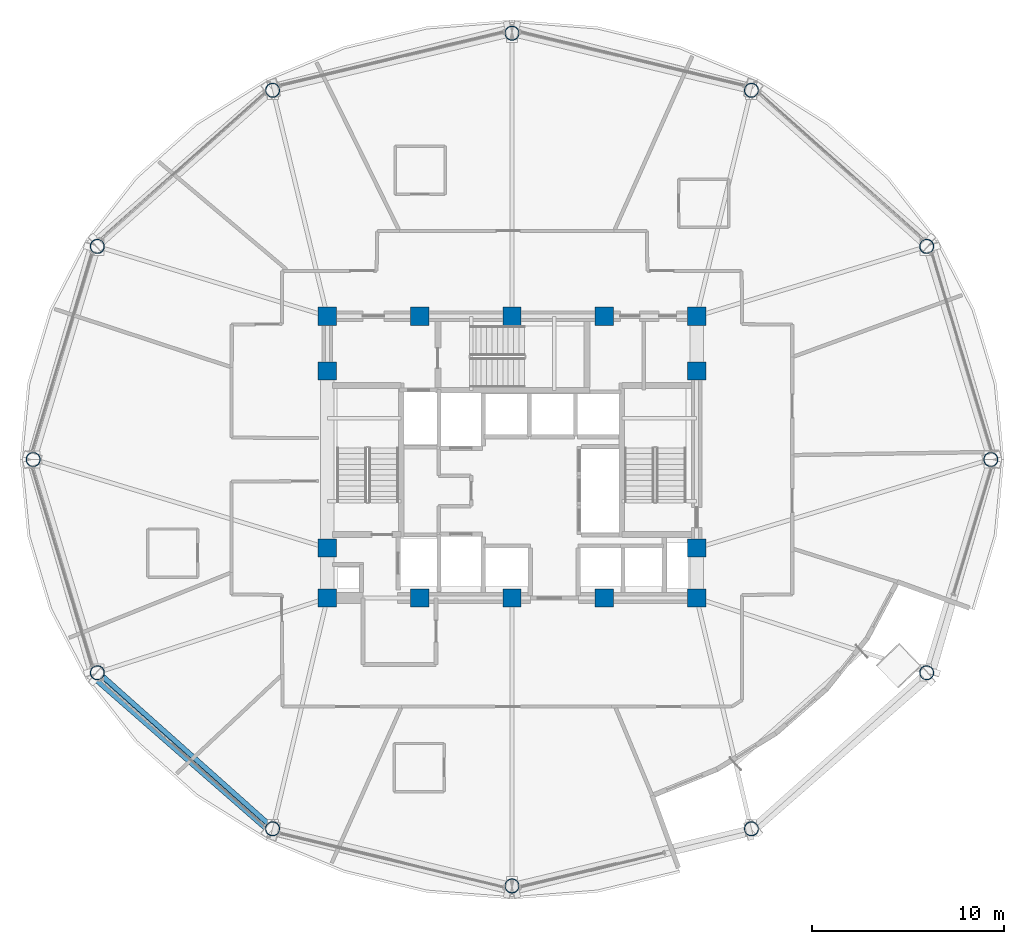
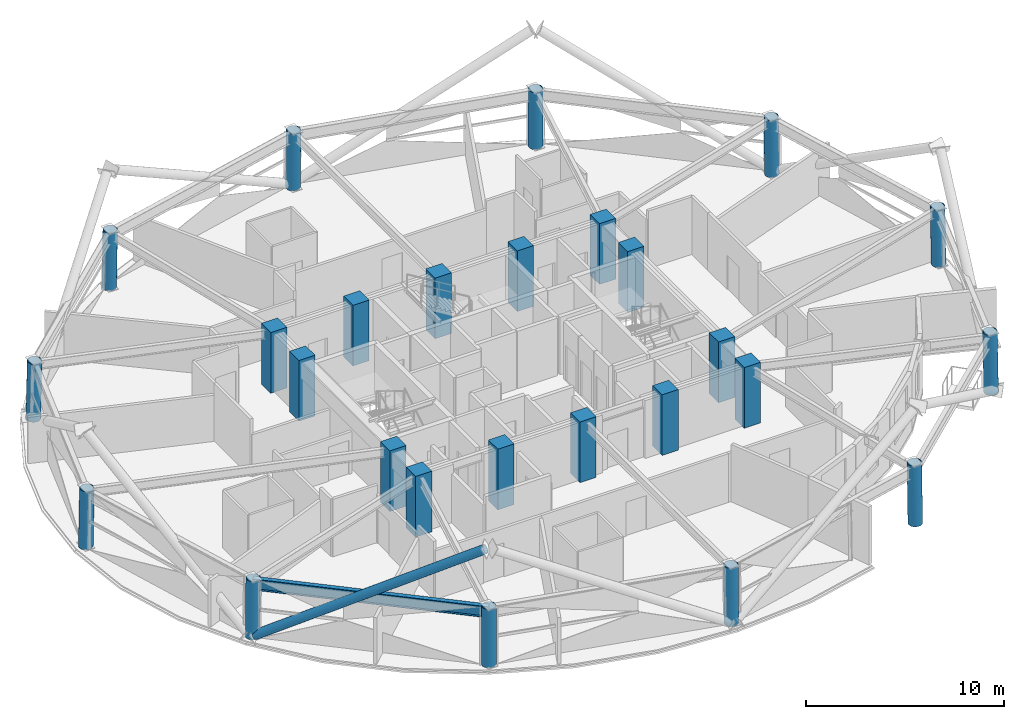
# One storey, part 1 of 17: 26 columns, 1 beam, 1 member.
"""IFC4 building model written with IfcOpenShell, lengths in metres."""

from ifc_helpers import new_model, si_unit, direction, frame, origin, origin_2d, place, context, subcontext, project, spatial, rectangle, hollow_circle, i_section, extrude, material, material_profile, profile_set, type_object, element, save


model = new_model("IFC4")

# Units and contexts
model_context = context("Model", 3, precision=1e-05, world=origin(), true_north=direction((0.0, 1.0)))
body_context = subcontext(model_context, "Body", "Model", "MODEL_VIEW")
ifc_project = project(units=[si_unit("LENGTHUNIT", "METRE"), si_unit("AREAUNIT", "SQUARE_METRE"), si_unit("VOLUMEUNIT", "CUBIC_METRE"), si_unit("PLANEANGLEUNIT", "RADIAN"), si_unit("MASSUNIT", "GRAM", prefix="KILO")], contexts=[model_context])

# Site, building, storey
site_placement = place(None, origin())
site = spatial("IfcSite", under=ifc_project, at=site_placement, CompositionType="ELEMENT")
building_placement = place(site_placement, origin())
building = spatial("IfcBuilding", under=site, at=building_placement, Name="Vantalir Tower", CompositionType="ELEMENT")
storey_placement = place(building_placement, frame((0.0, 0.0, 142.199951171875)))
storey = spatial("IfcBuildingStorey", under=building, at=storey_placement, Name="L35", CompositionType="ELEMENT", Elevation=142.199951171875)

# Columns
ifc_material_1 = material(Name="Concrete C60/75", Category="concrete")
ifc_material_profile_1 = material_profile(ifc_material_1, rectangle(XDim=0.949951171875, YDim=0.949951171875, at=origin_2d()), Name="Concrete C60/75")
ifc_profile_set_1 = profile_set([ifc_material_profile_1], Name="Concrete C60/75")
column_type_1 = type_object("IfcColumnType", Name="COL-CC-950", PredefinedType="COLUMN", material=ifc_profile_set_1)
for number, where, z_axis, x_axis, name in (
    (1, (21.89990234375, 17.800048828125, 0.0), (0.0, 0.0, 1.0), (1.0, 0.0, 0.0), "L35 Core Column CC01"),
    (2, (26.699951171875, 17.800048828125, 0.0), (0.0, 0.0, 1.0), (1.0, 0.0, 0.0), "L35 Core Column CC02"),
    (3, (31.5, 17.800048828125, 0.0), (0.0, 0.0, 1.0), (1.0, 0.0, 0.0), "L35 Core Column CC03"),
    (4, (36.300048828125, 17.800048828125, 0.0), (0.0, 0.0, 1.0), (1.0, 0.0, 0.0), "L35 Core Column CC04"),
    (5, (41.10009765625, 17.800048828125, 0.0), (0.0, 0.0, 1.0), (1.0, 0.0, 0.0), "L35 Core Column CC05"),
    (6, (21.89990234375, 20.39990234375, 0.0), (0.0, 0.0, 1.0), (1.0, 0.0, 0.0), "L35 Core Column CC06"),
    (7, (21.89990234375, 29.60009765625, 0.0), (0.0, 0.0, 1.0), (1.0, 0.0, 0.0), "L35 Core Column CC07"),
    (8, (41.10009765625, 20.39990234375, 0.0), (0.0, 0.0, 1.0), (1.0, 0.0, 0.0), "L35 Core Column CC08"),
    (9, (41.10009765625, 29.60009765625, 0.0), (0.0, 0.0, 1.0), (1.0, 0.0, 0.0), "L35 Core Column CC09"),
    (10, (21.89990234375, 32.449951171875, 0.0), (0.0, 0.0, 1.0), (1.0, 0.0, 0.0), "L35 Core Column CC10"),
    (11, (26.699951171875, 32.449951171875, 0.0), (0.0, 0.0, 1.0), (1.0, 0.0, 0.0), "L35 Core Column CC11"),
    (12, (31.5, 32.449951171875, 0.0), (0.0, 0.0, 1.0), (1.0, 0.0, 0.0), "L35 Core Column CC12"),
    (13, (36.300048828125, 32.449951171875, 0.0), (0.0, 0.0, 1.0), (1.0, 0.0, 0.0), "L35 Core Column CC13"),
    (14, (41.10009765625, 32.449951171875, 0.0), (0.0, 0.0, 1.0), (1.0, 0.0, 0.0), "L35 Core Column CC14"),
):
    element("IfcColumn", number, at=place(storey_placement, frame(where, z_axis=z_axis, x_axis=x_axis)), inside=storey, type_object=column_type_1, Name=name, PredefinedType="COLUMN", context=body_context, shape_type="SweptSolid", body=[
        extrude(rectangle(XDim=0.949951171875, YDim=0.949951171875, at=origin_2d()), origin(), (0.0, 0.0, 1.0), 3.75),
    ])
ifc_material_2 = material(Name="Steel S460", Category="steel")
ifc_material_profile_2 = material_profile(ifc_material_2, hollow_circle(Radius=0.375, WallThickness=0.034912109375, at=origin_2d()), Name="Steel S460")
ifc_profile_set_2 = profile_set([ifc_material_profile_2], Name="Steel S460")
column_type_2 = type_object("IfcColumnType", Name="COL-RC-750", PredefinedType="COLUMN", material=ifc_profile_set_2)
for number, where, z_axis, x_axis, name in (
    (15, (56.406982421875, 25.0, 0.0), (-0.017367276966, 0.0, 0.999849177472), (0.0, -1.0, 0.0), "L35 Perimeter Ring Column RC01"),
    (16, (53.070068359375, 36.090087890625, 0.0), (-0.015110985005, -0.007863182242, 0.999854903722), (0.461605486228, -0.887085325707, 0.0), "L35 Perimeter Ring Column RC02"),
    (17, (43.9541015625, 44.2080078125, 0.0), (-0.00868383291, -0.013470197507, 0.999871564165), (0.840484683752, -0.541835303739, 0.0), "L35 Perimeter Ring Column RC03"),
    (18, (31.5, 47.179931640625, 0.0), (0.0, -0.015658341295, 0.999877400659), (1.0, 0.0, 0.0), "L35 Perimeter Ring Column RC04"),
    (19, (19.047119140625, 44.2080078125, 0.0), (0.008615461369, -0.013470205473, 0.999872155523), (0.842426690195, 0.538810979516, 0.0), "L35 Perimeter Ring Column RC05"),
    (20, (9.929931640625, 36.090087890625, 0.0), (0.015110985005, -0.007863182242, 0.999854903722), (0.461605486228, 0.887085325707, 0.0), "L35 Perimeter Ring Column RC06"),
    (21, (6.593017578125, 25.0, 0.0), (0.017367276966, 0.0, 0.999849177472), (0.0, 1.0, 0.0), "L35 Perimeter Ring Column RC07"),
    (22, (9.929931640625, 13.909912109375, 0.0), (0.015110985005, 0.007863182242, 0.999854903722), (-0.461605486228, 0.887085325707, 0.0), "L35 Perimeter Ring Column RC08"),
    (23, (19.0458984375, 5.7919921875, 0.0), (0.00868383291, 0.013470197507, 0.999871564165), (-0.840484683752, 0.541835303739, 0.0), "L35 Perimeter Ring Column RC09"),
    (24, (31.5, 2.820068359375, 0.0), (0.0, 0.015658341295, 0.999877400659), (-1.0, 0.0, 0.0), "L35 Perimeter Ring Column RC10"),
):
    element("IfcColumn", number, at=place(storey_placement, frame(where, z_axis=z_axis, x_axis=x_axis)), inside=storey, type_object=column_type_2, Name=name, PredefinedType="COLUMN", context=body_context, shape_type="SweptSolid", body=[
        extrude(hollow_circle(Radius=0.375, WallThickness=0.034912109375, at=origin_2d()), origin(), (0.0, 0.0, 1.0), 3.570556640625),
    ])
for number, where, z_axis, x_axis, name in (
    (25, (43.9541015625, 5.7919921875, 0.0), (-0.008324702372, 0.012913121002, 0.999881968352), (-0.840484683752, -0.541835303739, 0.0), "L35 Perimeter Ring Column RC11"),
    (26, (53.070068359375, 13.909912109375, 0.0), (-0.014486071277, 0.007538000891, 0.999866657251), (-0.461605486228, -0.887085325707, 0.0), "L35 Perimeter Ring Column RC12"),
):
    element("IfcColumn", number, at=place(storey_placement, frame(where, z_axis=z_axis, x_axis=x_axis)), inside=storey, type_object=column_type_2, Name=name, PredefinedType="COLUMN", context=body_context, shape_type="SweptSolid", body=[
        extrude(hollow_circle(Radius=0.375, WallThickness=0.034912109375, at=origin_2d()), origin(), (0.0, 0.0, 1.0), 3.724609375),
    ])

# Beam
ifc_material_profile_3 = material_profile(ifc_material_2, i_section(OverallWidth=0.256103515625, OverallDepth=0.693115234375, WebThickness=0.014404296875, FlangeThickness=0.023681640625, at=origin_2d()), Name="Steel S460")
ifc_profile_set_3 = profile_set([ifc_material_profile_3], Name="Steel S460")
beam_type = type_object("IfcBeamType", Name="BM-RG-686x254", PredefinedType="USERDEFINED", material=ifc_profile_set_3)
beam_placement = place(storey_placement, frame((9.98388671875, 13.93798828125, 3.22412109375), z_axis=(0.746788388797, -0.665061728232, 0.0), x_axis=(0.665061728232, 0.746788388797, 0.0)))
element("IfcBeam", 27, at=beam_placement, inside=storey, type_object=beam_type, Name="L35 Circumferential Ring Girder 08", ObjectType="GIRDER", PredefinedType="USERDEFINED", context=body_context, shape_type="SweptSolid", body=[
    extrude(i_section(OverallWidth=0.256103515625, OverallDepth=0.693115234375, WebThickness=0.014404296875, FlangeThickness=0.023681640625, at=origin_2d()), origin(), (0.0, 0.0, 1.0), 12.17626953125),
])

# Member
ifc_material_profile_4 = material_profile(ifc_material_2, hollow_circle(Radius=0.260009765625, WallThickness=0.0380859375, at=origin_2d()), Name="Steel S460")
ifc_profile_set_4 = profile_set([ifc_material_profile_4], Name="Steel S460")
member_type = type_object("IfcMemberType", Name="MEM-DB-520x38", PredefinedType="BRACE", material=ifc_profile_set_4)
member_placement = place(storey_placement, frame((9.907958984375, 13.68994140625, 0.191162109375), z_axis=(0.650262752147, -0.568990979371, 0.50339608517), x_axis=(0.658511864821, 0.752570344812, 0.0)))
element("IfcMember", 28, at=member_placement, inside=storey, type_object=member_type, Name="L35 Perimeter S460 Diagrid Brace R22L", PredefinedType="BRACE", context=body_context, shape_type="SweptSolid", body=[
    extrude(hollow_circle(Radius=0.260009765625, WallThickness=0.0380859375, at=origin_2d()), origin(), (0.0, 0.0, 1.0), 13.782470703125),
])

save(model, "model.ifc")
